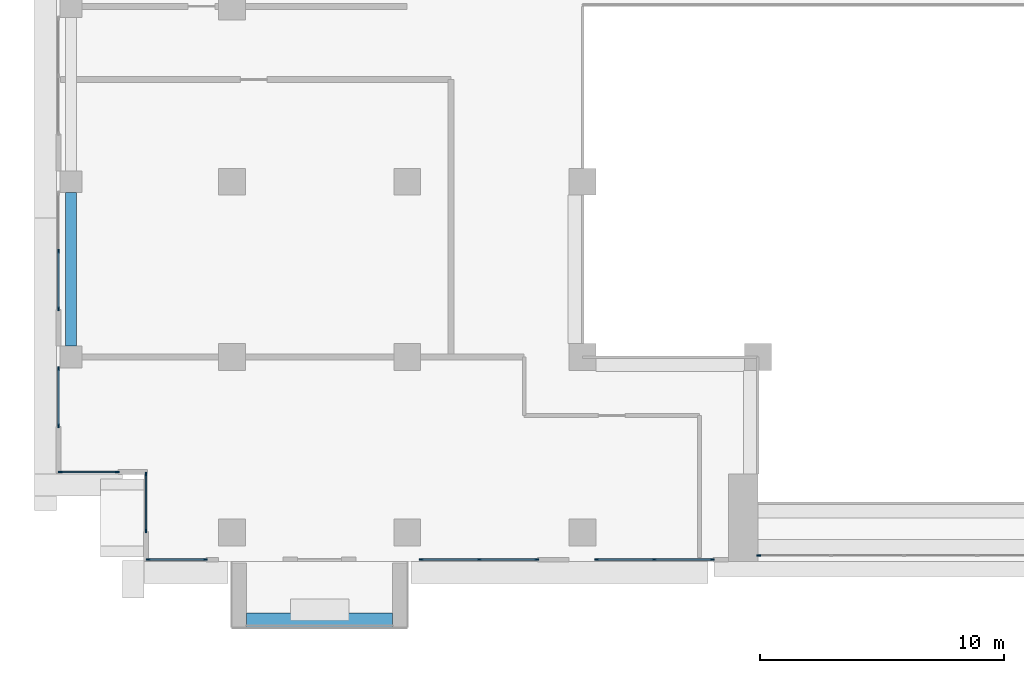
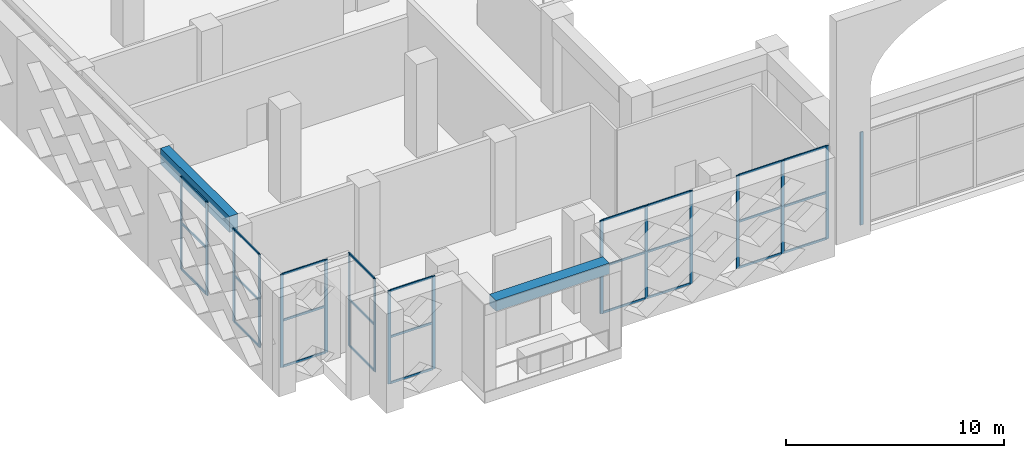
# One storey, part 2 of 25: 44 members, 2 beams, 8 elements without a shape of their own.
"""IFC4 building model written with IfcOpenShell, lengths in metres."""

from ifc_helpers import new_model, si_unit, direction, frame, origin, origin_2d, place, context, subcontext, project, spatial, rectangle, extrude, source, transform, mapped, material, layer, layer_set, material_profile, profile_set, type_object, element, aggregate, save


model = new_model("IFC4")

# Units and contexts
model_context = context("Model", 3, precision=1e-05, world=origin(), true_north=direction((0.0, 1.0)))
body_context = subcontext(model_context, "Body", "Model", "MODEL_VIEW")
ifc_project = project(units=[si_unit("LENGTHUNIT", "METRE"), si_unit("AREAUNIT", "SQUARE_METRE"), si_unit("VOLUMEUNIT", "CUBIC_METRE"), si_unit("PLANEANGLEUNIT", "RADIAN"), si_unit("MASSUNIT", "GRAM", prefix="KILO")], contexts=[model_context])

# Site, building, storey
site_placement = place(None, origin())
site = spatial("IfcSite", under=ifc_project, at=site_placement, CompositionType="ELEMENT")
building_placement = place(site_placement, origin())
building = spatial("IfcBuilding", under=site, at=building_placement, Name="Saffron Iwan Residences", CompositionType="ELEMENT")
storey_placement = place(building_placement, frame((0.0, 0.0, 137.5)))
storey = spatial("IfcBuildingStorey", under=building, at=storey_placement, Name="L36", CompositionType="ELEMENT", Elevation=137.5)

# Beams
ifc_material_1 = material(Name="Concrete C50/60", Category="concrete")
ifc_material_profile_1 = material_profile(ifc_material_1, rectangle(XDim=0.449951171875, YDim=0.89990234375, at=origin_2d()), Name="RC 450x900")
ifc_profile_set_1 = profile_set([ifc_material_profile_1], Name="Concrete C50/60")
beam_type_1 = type_object("IfcBeamType", Name="SPANDREL BEAM RC 450x900 C50/60 TOP 5200", PredefinedType="SPANDREL", material=ifc_profile_set_1)
shared_shape_1 = source(origin(), body_context, "Body", "SweptSolid", [
    extrude(rectangle(XDim=0.449951171875, YDim=0.89990234375, at=origin_2d()), origin(), (0.0, 0.0, 1.0), 6.300048828125),
])
beam_1_placement = place(storey_placement, frame((15.0, 48.449951171875, 4.75), z_axis=(0.0, 1.0, 0.0), x_axis=(-1.0, 0.0, 0.0)))
element("IfcBeam", 1, at=beam_1_placement, inside=storey, type_object=beam_type_1, Name="Spandrel beam", PredefinedType="SPANDREL", context=body_context, shape_type="MappedRepresentation", body=[
    mapped(shared_shape_1, transform((0.0, 0.0, 0.0))),
])
ifc_material_2 = material(Name="Concrete C50/60 white painted", Category="concrete")
ifc_material_profile_2 = material_profile(ifc_material_2, rectangle(XDim=0.60009765625, YDim=0.60009765625, at=origin_2d()), Name="BALCONY FASCIA BEAM 600 x 600")
ifc_profile_set_2 = profile_set([ifc_material_profile_2], Name="Concrete C50/60 white painted")
beam_type_2 = type_object("IfcBeamType", Name="BALCONY FASCIA BEAM 600 x 600", PredefinedType="BEAM", material=ifc_profile_set_2)
shared_shape_2 = source(origin(), body_context, "Body", "SweptSolid", [
    extrude(rectangle(XDim=0.60009765625, YDim=0.60009765625, at=origin_2d()), origin(), (0.0, 0.0, 1.0), 6.0),
])
beam_2_placement = place(storey_placement, frame((22.199951171875, 37.199951171875, 4.60009765625), z_axis=(1.0, 0.0, 0.0), x_axis=(0.0, 1.0, 0.0)))
element("IfcBeam", 2, at=beam_2_placement, inside=storey, type_object=beam_type_2, Name="Balcony fascia beam L36 11-0", PredefinedType="BEAM", context=body_context, shape_type="MappedRepresentation", body=[
    mapped(shared_shape_2, transform((0.0, 0.0, 0.0))),
])

# Curtain wall, member
ifc_material_3 = material(Name="Clear glass, laminated double glazed", Category="glass")
ifc_layer_1 = layer(ifc_material_3, 0.199951171875)
ifc_layer_set_1 = layer_set([ifc_layer_1], Name="Clear glass, laminated double glazed")
curtain_wall_type_1 = type_object("IfcCurtainWallType", Name="CW-B IWAN PORTAL", PredefinedType="NOTDEFINED", material=ifc_layer_set_1)
curtain_wall_1_placement = place(storey_placement, origin())
curtain_wall_1 = element("IfcCurtainWall", 3, at=curtain_wall_1_placement, inside=storey, type_object=curtain_wall_type_1, Name="Iwan portal glazing L36.1", PredefinedType="NOTDEFINED")
ifc_material_4 = material(Name="Aluminium 6063-T6", Category="aluminium")
ifc_material_profile_3 = material_profile(ifc_material_4, rectangle(XDim=0.06005859375, YDim=0.159912109375, at=origin_2d()), Name="CW-B MULLION 60 x 160")
ifc_profile_set_3 = profile_set([ifc_material_profile_3], Name="Aluminium 6063-T6")
member_type_1 = type_object("IfcMemberType", Name="CW-B MULLION 60 x 160", PredefinedType="MULLION", material=ifc_profile_set_3)
shared_shape_3 = source(origin(), body_context, "Body", "SweptSolid", [
    extrude(rectangle(XDim=0.06005859375, YDim=0.159912109375, at=origin_2d()), origin(), (0.0, 0.0, 1.0), 5.199951171875),
])
member_1_placement = place(storey_placement, frame((43.22998046875, 39.85009765625, 0.0), z_axis=(0.0, 0.0, 1.0), x_axis=(0.0, 1.0, 0.0)))
member_1 = element("IfcMember", 4, at=member_1_placement, type_object=member_type_1, Name="CW-B mullion 1", PredefinedType="MULLION", context=body_context, shape_type="MappedRepresentation", body=[
    mapped(shared_shape_3, transform((0.0, 0.0, 0.0))),
])
aggregate(curtain_wall_1, [member_1])

# Curtain wall, members
ifc_layer_2 = layer(ifc_material_3, 0.14990234375)
ifc_layer_set_2 = layer_set([ifc_layer_2], Name="Clear glass, laminated double glazed")
curtain_wall_type_2 = type_object("IfcCurtainWallType", Name="CW-C SKY LOBBY GLAZING", PredefinedType="NOTDEFINED", material=ifc_layer_set_2)
curtain_wall_2_placement = place(storey_placement, origin())
curtain_wall_2 = element("IfcCurtainWall", 5, at=curtain_wall_2_placement, inside=storey, type_object=curtain_wall_type_2, Name="Glazing L36 F8.3", PredefinedType="NOTDEFINED")
ifc_material_profile_4 = material_profile(ifc_material_4, rectangle(XDim=0.06005859375, YDim=0.159912109375, at=origin_2d()), Name="CW-C MULLION 60 x 160")
ifc_profile_set_4 = profile_set([ifc_material_profile_4], Name="Aluminium 6063-T6")
member_type_2 = type_object("IfcMemberType", Name="CW-C MULLION 60 x 160", PredefinedType="MULLION", material=ifc_profile_set_4)
shared_shape_4 = source(origin(), body_context, "Body", "SweptSolid", [
    extrude(rectangle(XDim=0.06005859375, YDim=0.159912109375, at=origin_2d()), origin(), (0.0, 0.0, 1.0), 5.199951171875),
])
member_2_placement = place(storey_placement, frame((14.47998046875, 52.35009765625, 0.0), z_axis=(0.0, 0.0, 1.0), x_axis=(1.0, 0.0, 0.0)))
member_2 = element("IfcMember", 6, at=member_2_placement, type_object=member_type_2, Name="CW-C mullion 2", PredefinedType="MULLION", context=body_context, shape_type="MappedRepresentation", body=[
    mapped(shared_shape_4, transform((0.0, 0.0, 0.0))),
])
member_3_placement = place(storey_placement, frame((14.47998046875, 49.97998046875, 0.0), z_axis=(0.0, 0.0, 1.0), x_axis=(1.0, 0.0, 0.0)))
member_3 = element("IfcMember", 7, at=member_3_placement, type_object=member_type_2, Name="CW-C mullion 3", PredefinedType="MULLION", context=body_context, shape_type="MappedRepresentation", body=[
    mapped(shared_shape_4, transform((0.0, 0.0, 0.0))),
])

curtain_wall_3_placement = place(storey_placement, origin())
curtain_wall_3 = element("IfcCurtainWall", 8, at=curtain_wall_3_placement, inside=storey, type_object=curtain_wall_type_2, Name="Glazing L36 F8.4", PredefinedType="NOTDEFINED")
member_4_placement = place(storey_placement, frame((14.47998046875, 47.52001953125, 0.0), z_axis=(0.0, 0.0, 1.0), x_axis=(1.0, 0.0, 0.0)))
member_4 = element("IfcMember", 9, at=member_4_placement, type_object=member_type_2, Name="CW-C mullion 1", PredefinedType="MULLION", context=body_context, shape_type="MappedRepresentation", body=[
    mapped(shared_shape_4, transform((0.0, 0.0, 0.0))),
])
member_5_placement = place(storey_placement, frame((14.47998046875, 45.179931640625, 0.0), z_axis=(0.0, 0.0, 1.0), x_axis=(1.0, 0.0, 0.0)))
member_5 = element("IfcMember", 10, at=member_5_placement, type_object=member_type_2, Name="CW-C mullion 2", PredefinedType="MULLION", context=body_context, shape_type="MappedRepresentation", body=[
    mapped(shared_shape_4, transform((0.0, 0.0, 0.0))),
])

curtain_wall_4_placement = place(storey_placement, origin())
curtain_wall_4 = element("IfcCurtainWall", 11, at=curtain_wall_4_placement, inside=storey, type_object=curtain_wall_type_2, Name="Glazing L36 F9.0", PredefinedType="NOTDEFINED")
member_6_placement = place(storey_placement, frame((14.56005859375, 43.280029296875, 0.0), z_axis=(0.0, 0.0, 1.0), x_axis=(0.0, 1.0, 0.0)))
member_6 = element("IfcMember", 12, at=member_6_placement, type_object=member_type_2, Name="CW-C mullion 1", PredefinedType="MULLION", context=body_context, shape_type="MappedRepresentation", body=[
    mapped(shared_shape_4, transform((0.0, 0.0, 0.0))),
])
member_7_placement = place(storey_placement, frame((16.89990234375, 43.280029296875, 0.0), z_axis=(0.0, 0.0, 1.0), x_axis=(0.0, 1.0, 0.0)))
member_7 = element("IfcMember", 13, at=member_7_placement, type_object=member_type_2, Name="CW-C mullion 2", PredefinedType="MULLION", context=body_context, shape_type="MappedRepresentation", body=[
    mapped(shared_shape_4, transform((0.0, 0.0, 0.0))),
])

curtain_wall_5_placement = place(storey_placement, origin())
curtain_wall_5 = element("IfcCurtainWall", 14, at=curtain_wall_5_placement, inside=storey, type_object=curtain_wall_type_2, Name="Glazing L36 F10.0", PredefinedType="NOTDEFINED")
member_8_placement = place(storey_placement, frame((18.080078125, 43.199951171875, 0.0), z_axis=(0.0, 0.0, 1.0), x_axis=(1.0, 0.0, 0.0)))
member_8 = element("IfcMember", 15, at=member_8_placement, type_object=member_type_2, Name="CW-C mullion 1", PredefinedType="MULLION", context=body_context, shape_type="MappedRepresentation", body=[
    mapped(shared_shape_4, transform((0.0, 0.0, 0.0))),
])
member_9_placement = place(storey_placement, frame((18.080078125, 40.860107421875, 0.0), z_axis=(0.0, 0.0, 1.0), x_axis=(1.0, 0.0, 0.0)))
member_9 = element("IfcMember", 16, at=member_9_placement, type_object=member_type_2, Name="CW-C mullion 2", PredefinedType="MULLION", context=body_context, shape_type="MappedRepresentation", body=[
    mapped(shared_shape_4, transform((0.0, 0.0, 0.0))),
])

curtain_wall_6_placement = place(storey_placement, origin())
curtain_wall_6 = element("IfcCurtainWall", 17, at=curtain_wall_6_placement, inside=storey, type_object=curtain_wall_type_2, Name="Glazing L36 F11.0", PredefinedType="NOTDEFINED")
member_10_placement = place(storey_placement, frame((18.159912109375, 39.679931640625, 0.0), z_axis=(0.0, 0.0, 1.0), x_axis=(0.0, 1.0, 0.0)))
member_10 = element("IfcMember", 18, at=member_10_placement, type_object=member_type_2, Name="CW-C mullion 1", PredefinedType="MULLION", context=body_context, shape_type="MappedRepresentation", body=[
    mapped(shared_shape_4, transform((0.0, 0.0, 0.0))),
])
member_11_placement = place(storey_placement, frame((20.5, 39.679931640625, 0.0), z_axis=(0.0, 0.0, 1.0), x_axis=(0.0, 1.0, 0.0)))
member_11 = element("IfcMember", 19, at=member_11_placement, type_object=member_type_2, Name="CW-C mullion 2", PredefinedType="MULLION", context=body_context, shape_type="MappedRepresentation", body=[
    mapped(shared_shape_4, transform((0.0, 0.0, 0.0))),
])

curtain_wall_7_placement = place(storey_placement, origin())
curtain_wall_7 = element("IfcCurtainWall", 20, at=curtain_wall_7_placement, inside=storey, type_object=curtain_wall_type_2, Name="Glazing L36 F11.3", PredefinedType="NOTDEFINED")
member_12_placement = place(storey_placement, frame((29.3798828125, 39.679931640625, 0.0), z_axis=(0.0, 0.0, 1.0), x_axis=(0.0, 1.0, 0.0)))
member_12 = element("IfcMember", 21, at=member_12_placement, type_object=member_type_2, Name="CW-C mullion 1", PredefinedType="MULLION", context=body_context, shape_type="MappedRepresentation", body=[
    mapped(shared_shape_4, transform((0.0, 0.0, 0.0))),
])
member_13_placement = place(storey_placement, frame((31.75, 39.679931640625, 0.0), z_axis=(0.0, 0.0, 1.0), x_axis=(0.0, 1.0, 0.0)))
member_13 = element("IfcMember", 22, at=member_13_placement, type_object=member_type_2, Name="CW-C mullion 2", PredefinedType="MULLION", context=body_context, shape_type="MappedRepresentation", body=[
    mapped(shared_shape_4, transform((0.0, 0.0, 0.0))),
])
member_14_placement = place(storey_placement, frame((34.1201171875, 39.679931640625, 0.0), z_axis=(0.0, 0.0, 1.0), x_axis=(0.0, 1.0, 0.0)))
member_14 = element("IfcMember", 23, at=member_14_placement, type_object=member_type_2, Name="CW-C mullion 3", PredefinedType="MULLION", context=body_context, shape_type="MappedRepresentation", body=[
    mapped(shared_shape_4, transform((0.0, 0.0, 0.0))),
])

curtain_wall_8_placement = place(storey_placement, origin())
curtain_wall_8 = element("IfcCurtainWall", 24, at=curtain_wall_8_placement, inside=storey, type_object=curtain_wall_type_2, Name="Glazing L36 F11.4", PredefinedType="NOTDEFINED")
member_15_placement = place(storey_placement, frame((36.580078125, 39.679931640625, 0.0), z_axis=(0.0, 0.0, 1.0), x_axis=(0.0, 1.0, 0.0)))
member_15 = element("IfcMember", 25, at=member_15_placement, type_object=member_type_2, Name="CW-C mullion 1", PredefinedType="MULLION", context=body_context, shape_type="MappedRepresentation", body=[
    mapped(shared_shape_4, transform((0.0, 0.0, 0.0))),
])
member_16_placement = place(storey_placement, frame((38.949951171875, 39.679931640625, 0.0), z_axis=(0.0, 0.0, 1.0), x_axis=(0.0, 1.0, 0.0)))
member_16 = element("IfcMember", 26, at=member_16_placement, type_object=member_type_2, Name="CW-C mullion 2", PredefinedType="MULLION", context=body_context, shape_type="MappedRepresentation", body=[
    mapped(shared_shape_4, transform((0.0, 0.0, 0.0))),
])
member_17_placement = place(storey_placement, frame((41.320068359375, 39.679931640625, 0.0), z_axis=(0.0, 0.0, 1.0), x_axis=(0.0, 1.0, 0.0)))
member_17 = element("IfcMember", 27, at=member_17_placement, type_object=member_type_2, Name="CW-C mullion 3", PredefinedType="MULLION", context=body_context, shape_type="MappedRepresentation", body=[
    mapped(shared_shape_4, transform((0.0, 0.0, 0.0))),
])

# Member
ifc_material_profile_5 = material_profile(ifc_material_4, rectangle(XDim=0.06005859375, YDim=0.1201171875, at=origin_2d()), Name="CW-C TRANSOM 60 x 120")
ifc_profile_set_5 = profile_set([ifc_material_profile_5], Name="Aluminium 6063-T6")
member_type_3 = type_object("IfcMemberType", Name="CW-C TRANSOM 60 x 120", PredefinedType="USERDEFINED", material=ifc_profile_set_5)
shared_shape_5 = source(origin(), body_context, "Body", "SweptSolid", [
    extrude(rectangle(XDim=0.06005859375, YDim=0.1201171875, at=origin_2d()), origin(), (0.0, 0.0, 1.0), 2.31005859375),
])
member_18_placement = place(storey_placement, frame((14.47998046875, 52.320068359375, 0.030029296875), z_axis=(0.0, -1.0, 0.0), x_axis=(1.0, 0.0, 0.0)))
member_18 = element("IfcMember", 28, at=member_18_placement, type_object=member_type_3, Name="CW-C transom 2.1", ObjectType="TRANSOM", PredefinedType="USERDEFINED", context=body_context, shape_type="MappedRepresentation", body=[
    mapped(shared_shape_5, transform((0.0, 0.0, 0.0))),
])

member_19_placement = place(storey_placement, frame((14.47998046875, 52.320068359375, 2.60009765625), z_axis=(0.0, -1.0, 0.0), x_axis=(1.0, 0.0, 0.0)))
member_19 = element("IfcMember", 29, at=member_19_placement, type_object=member_type_3, Name="CW-C transom 2.2", ObjectType="TRANSOM", PredefinedType="USERDEFINED", context=body_context, shape_type="MappedRepresentation", body=[
    mapped(shared_shape_5, transform((0.0, 0.0, 0.0))),
])

member_20_placement = place(storey_placement, frame((14.47998046875, 52.320068359375, 5.169921875), z_axis=(0.0, -1.0, 0.0), x_axis=(1.0, 0.0, 0.0)))
member_20 = element("IfcMember", 30, at=member_20_placement, type_object=member_type_3, Name="CW-C transom 2.3", ObjectType="TRANSOM", PredefinedType="USERDEFINED", context=body_context, shape_type="MappedRepresentation", body=[
    mapped(shared_shape_5, transform((0.0, 0.0, 0.0))),
])

aggregate(curtain_wall_2, [member_2, member_3, member_18, member_19, member_20])

member_21_placement = place(storey_placement, frame((29.409912109375, 39.679931640625, 0.030029296875), z_axis=(1.0, 0.0, 0.0), x_axis=(0.0, 1.0, 0.0)))
member_21 = element("IfcMember", 31, at=member_21_placement, type_object=member_type_3, Name="CW-C transom 1.1", ObjectType="TRANSOM", PredefinedType="USERDEFINED", context=body_context, shape_type="MappedRepresentation", body=[
    mapped(shared_shape_5, transform((0.0, 0.0, 0.0))),
])

member_22_placement = place(storey_placement, frame((29.409912109375, 39.679931640625, 2.60009765625), z_axis=(1.0, 0.0, 0.0), x_axis=(0.0, 1.0, 0.0)))
member_22 = element("IfcMember", 32, at=member_22_placement, type_object=member_type_3, Name="CW-C transom 1.2", ObjectType="TRANSOM", PredefinedType="USERDEFINED", context=body_context, shape_type="MappedRepresentation", body=[
    mapped(shared_shape_5, transform((0.0, 0.0, 0.0))),
])

member_23_placement = place(storey_placement, frame((29.409912109375, 39.679931640625, 5.169921875), z_axis=(1.0, 0.0, 0.0), x_axis=(0.0, 1.0, 0.0)))
member_23 = element("IfcMember", 33, at=member_23_placement, type_object=member_type_3, Name="CW-C transom 1.3", ObjectType="TRANSOM", PredefinedType="USERDEFINED", context=body_context, shape_type="MappedRepresentation", body=[
    mapped(shared_shape_5, transform((0.0, 0.0, 0.0))),
])

member_24_placement = place(storey_placement, frame((31.780029296875, 39.679931640625, 0.030029296875), z_axis=(1.0, 0.0, 0.0), x_axis=(0.0, 1.0, 0.0)))
member_24 = element("IfcMember", 34, at=member_24_placement, type_object=member_type_3, Name="CW-C transom 2.1", ObjectType="TRANSOM", PredefinedType="USERDEFINED", context=body_context, shape_type="MappedRepresentation", body=[
    mapped(shared_shape_5, transform((0.0, 0.0, 0.0))),
])

member_25_placement = place(storey_placement, frame((31.780029296875, 39.679931640625, 2.60009765625), z_axis=(1.0, 0.0, 0.0), x_axis=(0.0, 1.0, 0.0)))
member_25 = element("IfcMember", 35, at=member_25_placement, type_object=member_type_3, Name="CW-C transom 2.2", ObjectType="TRANSOM", PredefinedType="USERDEFINED", context=body_context, shape_type="MappedRepresentation", body=[
    mapped(shared_shape_5, transform((0.0, 0.0, 0.0))),
])

member_26_placement = place(storey_placement, frame((31.780029296875, 39.679931640625, 5.169921875), z_axis=(1.0, 0.0, 0.0), x_axis=(0.0, 1.0, 0.0)))
member_26 = element("IfcMember", 36, at=member_26_placement, type_object=member_type_3, Name="CW-C transom 2.3", ObjectType="TRANSOM", PredefinedType="USERDEFINED", context=body_context, shape_type="MappedRepresentation", body=[
    mapped(shared_shape_5, transform((0.0, 0.0, 0.0))),
])

aggregate(curtain_wall_7, [member_12, member_13, member_14, member_21, member_22, member_23, member_24, member_25, member_26])

member_27_placement = place(storey_placement, frame((38.97998046875, 39.679931640625, 0.030029296875), z_axis=(1.0, 0.0, 0.0), x_axis=(0.0, 1.0, 0.0)))
member_27 = element("IfcMember", 37, at=member_27_placement, type_object=member_type_3, Name="CW-C transom 2.1", ObjectType="TRANSOM", PredefinedType="USERDEFINED", context=body_context, shape_type="MappedRepresentation", body=[
    mapped(shared_shape_5, transform((0.0, 0.0, 0.0))),
])

member_28_placement = place(storey_placement, frame((38.97998046875, 39.679931640625, 2.60009765625), z_axis=(1.0, 0.0, 0.0), x_axis=(0.0, 1.0, 0.0)))
member_28 = element("IfcMember", 38, at=member_28_placement, type_object=member_type_3, Name="CW-C transom 2.2", ObjectType="TRANSOM", PredefinedType="USERDEFINED", context=body_context, shape_type="MappedRepresentation", body=[
    mapped(shared_shape_5, transform((0.0, 0.0, 0.0))),
])

member_29_placement = place(storey_placement, frame((38.97998046875, 39.679931640625, 5.169921875), z_axis=(1.0, 0.0, 0.0), x_axis=(0.0, 1.0, 0.0)))
member_29 = element("IfcMember", 39, at=member_29_placement, type_object=member_type_3, Name="CW-C transom 2.3", ObjectType="TRANSOM", PredefinedType="USERDEFINED", context=body_context, shape_type="MappedRepresentation", body=[
    mapped(shared_shape_5, transform((0.0, 0.0, 0.0))),
])

shared_shape_6 = source(origin(), body_context, "Body", "SweptSolid", [
    extrude(rectangle(XDim=0.06005859375, YDim=0.1201171875, at=origin_2d()), origin(), (0.0, 0.0, 1.0), 2.309814453125),
])
member_30_placement = place(storey_placement, frame((36.610107421875, 39.679931640625, 0.030029296875), z_axis=(1.0, 0.0, 0.0), x_axis=(0.0, 1.0, 0.0)))
member_30 = element("IfcMember", 40, at=member_30_placement, type_object=member_type_3, Name="CW-C transom 1.1", ObjectType="TRANSOM", PredefinedType="USERDEFINED", context=body_context, shape_type="MappedRepresentation", body=[
    mapped(shared_shape_6, transform((0.0, 0.0, 0.0))),
])

member_31_placement = place(storey_placement, frame((36.610107421875, 39.679931640625, 2.60009765625), z_axis=(1.0, 0.0, 0.0), x_axis=(0.0, 1.0, 0.0)))
member_31 = element("IfcMember", 41, at=member_31_placement, type_object=member_type_3, Name="CW-C transom 1.2", ObjectType="TRANSOM", PredefinedType="USERDEFINED", context=body_context, shape_type="MappedRepresentation", body=[
    mapped(shared_shape_6, transform((0.0, 0.0, 0.0))),
])

member_32_placement = place(storey_placement, frame((36.610107421875, 39.679931640625, 5.169921875), z_axis=(1.0, 0.0, 0.0), x_axis=(0.0, 1.0, 0.0)))
member_32 = element("IfcMember", 42, at=member_32_placement, type_object=member_type_3, Name="CW-C transom 1.3", ObjectType="TRANSOM", PredefinedType="USERDEFINED", context=body_context, shape_type="MappedRepresentation", body=[
    mapped(shared_shape_6, transform((0.0, 0.0, 0.0))),
])

aggregate(curtain_wall_8, [member_15, member_16, member_17, member_30, member_31, member_32, member_27, member_28, member_29])

shared_shape_7 = source(origin(), body_context, "Body", "SweptSolid", [
    extrude(rectangle(XDim=0.06005859375, YDim=0.1201171875, at=origin_2d()), origin(), (0.0, 0.0, 1.0), 2.280029296875),
])
member_33_placement = place(storey_placement, frame((14.47998046875, 47.489990234375, 0.030029296875), z_axis=(0.0, -1.0, 0.0), x_axis=(1.0, 0.0, 0.0)))
member_33 = element("IfcMember", 43, at=member_33_placement, type_object=member_type_3, Name="CW-C transom 1.1", ObjectType="TRANSOM", PredefinedType="USERDEFINED", context=body_context, shape_type="MappedRepresentation", body=[
    mapped(shared_shape_7, transform((0.0, 0.0, 0.0))),
])

member_34_placement = place(storey_placement, frame((14.47998046875, 47.489990234375, 2.60009765625), z_axis=(0.0, -1.0, 0.0), x_axis=(1.0, 0.0, 0.0)))
member_34 = element("IfcMember", 44, at=member_34_placement, type_object=member_type_3, Name="CW-C transom 1.2", ObjectType="TRANSOM", PredefinedType="USERDEFINED", context=body_context, shape_type="MappedRepresentation", body=[
    mapped(shared_shape_7, transform((0.0, 0.0, 0.0))),
])

member_35_placement = place(storey_placement, frame((14.47998046875, 47.489990234375, 5.169921875), z_axis=(0.0, -1.0, 0.0), x_axis=(1.0, 0.0, 0.0)))
member_35 = element("IfcMember", 45, at=member_35_placement, type_object=member_type_3, Name="CW-C transom 1.3", ObjectType="TRANSOM", PredefinedType="USERDEFINED", context=body_context, shape_type="MappedRepresentation", body=[
    mapped(shared_shape_7, transform((0.0, 0.0, 0.0))),
])

aggregate(curtain_wall_3, [member_4, member_5, member_33, member_34, member_35])

member_36_placement = place(storey_placement, frame((14.590087890625, 43.280029296875, 0.030029296875), z_axis=(1.0, 0.0, 0.0), x_axis=(0.0, 1.0, 0.0)))
member_36 = element("IfcMember", 46, at=member_36_placement, type_object=member_type_3, Name="CW-C transom 1.1", ObjectType="TRANSOM", PredefinedType="USERDEFINED", context=body_context, shape_type="MappedRepresentation", body=[
    mapped(shared_shape_7, transform((0.0, 0.0, 0.0))),
])

member_37_placement = place(storey_placement, frame((14.590087890625, 43.280029296875, 2.60009765625), z_axis=(1.0, 0.0, 0.0), x_axis=(0.0, 1.0, 0.0)))
member_37 = element("IfcMember", 47, at=member_37_placement, type_object=member_type_3, Name="CW-C transom 1.2", ObjectType="TRANSOM", PredefinedType="USERDEFINED", context=body_context, shape_type="MappedRepresentation", body=[
    mapped(shared_shape_7, transform((0.0, 0.0, 0.0))),
])

member_38_placement = place(storey_placement, frame((14.590087890625, 43.280029296875, 5.169921875), z_axis=(1.0, 0.0, 0.0), x_axis=(0.0, 1.0, 0.0)))
member_38 = element("IfcMember", 48, at=member_38_placement, type_object=member_type_3, Name="CW-C transom 1.3", ObjectType="TRANSOM", PredefinedType="USERDEFINED", context=body_context, shape_type="MappedRepresentation", body=[
    mapped(shared_shape_7, transform((0.0, 0.0, 0.0))),
])

aggregate(curtain_wall_4, [member_6, member_7, member_36, member_37, member_38])

member_39_placement = place(storey_placement, frame((18.080078125, 43.169921875, 0.030029296875), z_axis=(0.0, -1.0, 0.0), x_axis=(1.0, 0.0, 0.0)))
member_39 = element("IfcMember", 49, at=member_39_placement, type_object=member_type_3, Name="CW-C transom 1.1", ObjectType="TRANSOM", PredefinedType="USERDEFINED", context=body_context, shape_type="MappedRepresentation", body=[
    mapped(shared_shape_7, transform((0.0, 0.0, 0.0))),
])

member_40_placement = place(storey_placement, frame((18.080078125, 43.169921875, 2.60009765625), z_axis=(0.0, -1.0, 0.0), x_axis=(1.0, 0.0, 0.0)))
member_40 = element("IfcMember", 50, at=member_40_placement, type_object=member_type_3, Name="CW-C transom 1.2", ObjectType="TRANSOM", PredefinedType="USERDEFINED", context=body_context, shape_type="MappedRepresentation", body=[
    mapped(shared_shape_7, transform((0.0, 0.0, 0.0))),
])

member_41_placement = place(storey_placement, frame((18.080078125, 43.169921875, 5.169921875), z_axis=(0.0, -1.0, 0.0), x_axis=(1.0, 0.0, 0.0)))
member_41 = element("IfcMember", 51, at=member_41_placement, type_object=member_type_3, Name="CW-C transom 1.3", ObjectType="TRANSOM", PredefinedType="USERDEFINED", context=body_context, shape_type="MappedRepresentation", body=[
    mapped(shared_shape_7, transform((0.0, 0.0, 0.0))),
])

aggregate(curtain_wall_5, [member_8, member_9, member_39, member_40, member_41])

member_42_placement = place(storey_placement, frame((18.18994140625, 39.679931640625, 0.030029296875), z_axis=(1.0, 0.0, 0.0), x_axis=(0.0, 1.0, 0.0)))
member_42 = element("IfcMember", 52, at=member_42_placement, type_object=member_type_3, Name="CW-C transom 1.1", ObjectType="TRANSOM", PredefinedType="USERDEFINED", context=body_context, shape_type="MappedRepresentation", body=[
    mapped(shared_shape_7, transform((0.0, 0.0, 0.0))),
])

member_43_placement = place(storey_placement, frame((18.18994140625, 39.679931640625, 2.60009765625), z_axis=(1.0, 0.0, 0.0), x_axis=(0.0, 1.0, 0.0)))
member_43 = element("IfcMember", 53, at=member_43_placement, type_object=member_type_3, Name="CW-C transom 1.2", ObjectType="TRANSOM", PredefinedType="USERDEFINED", context=body_context, shape_type="MappedRepresentation", body=[
    mapped(shared_shape_7, transform((0.0, 0.0, 0.0))),
])

member_44_placement = place(storey_placement, frame((18.18994140625, 39.679931640625, 5.169921875), z_axis=(1.0, 0.0, 0.0), x_axis=(0.0, 1.0, 0.0)))
member_44 = element("IfcMember", 54, at=member_44_placement, type_object=member_type_3, Name="CW-C transom 1.3", ObjectType="TRANSOM", PredefinedType="USERDEFINED", context=body_context, shape_type="MappedRepresentation", body=[
    mapped(shared_shape_7, transform((0.0, 0.0, 0.0))),
])

aggregate(curtain_wall_6, [member_10, member_11, member_42, member_43, member_44])

save(model, "model.ifc")
